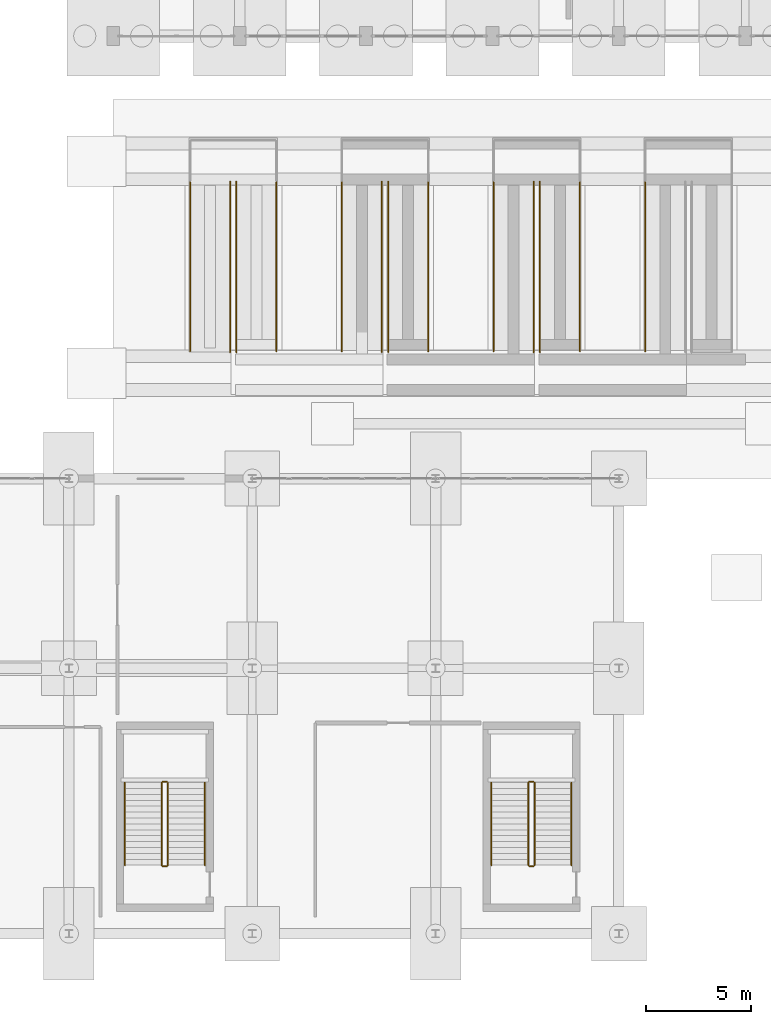
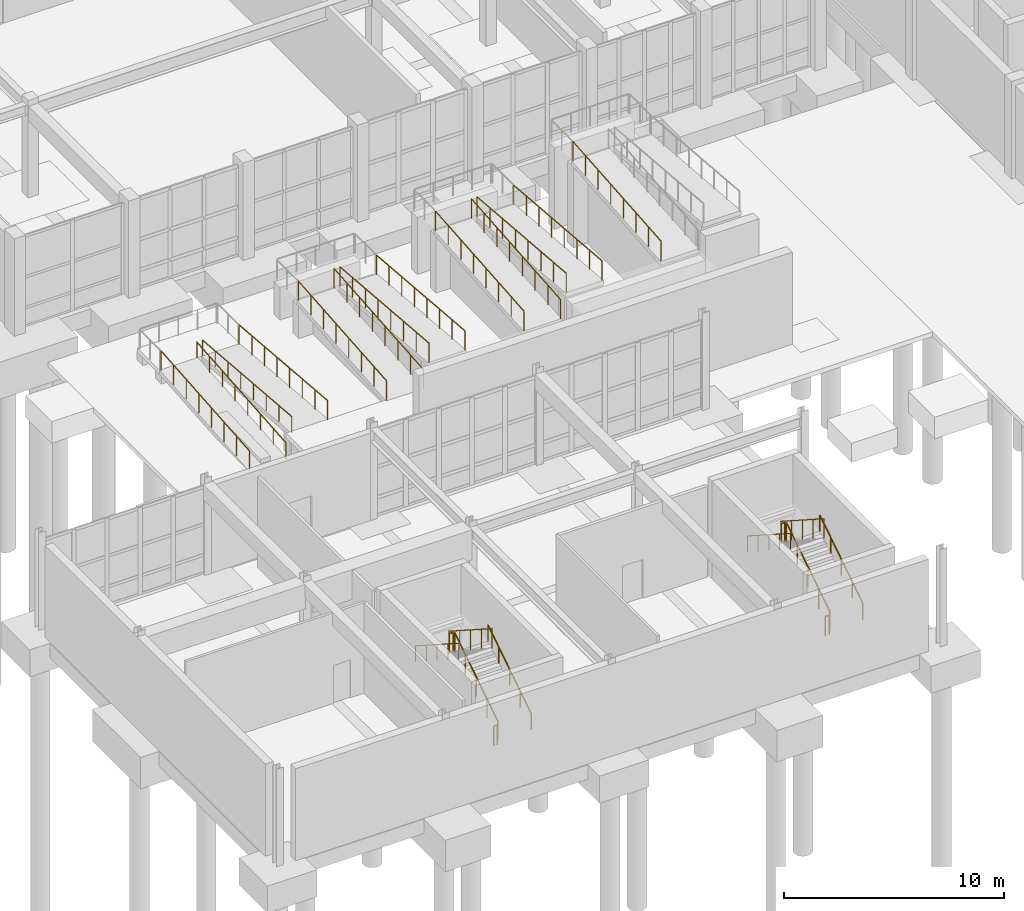
# One storey, part 59 of 69: 25 railings.
"""IFC4 building model written with IfcOpenShell, lengths in metres."""

from ifc_helpers import new_model, si_unit, direction, frame, origin, origin_2d, place, context, subcontext, project, spatial, circle, extrude, material, type_object, element, save


model = new_model("IFC4")

# Units and contexts
model_context = context("Model", 3, precision=1e-05, world=origin(), true_north=direction((0.0, 1.0)))
body_context = subcontext(model_context, "Body", "Model", "MODEL_VIEW")
ifc_project = project(units=[si_unit("LENGTHUNIT", "METRE"), si_unit("AREAUNIT", "SQUARE_METRE"), si_unit("VOLUMEUNIT", "CUBIC_METRE"), si_unit("PLANEANGLEUNIT", "RADIAN"), si_unit("MASSUNIT", "GRAM", prefix="KILO")], contexts=[model_context])

# Site, building, storey
site_placement = place(None, origin())
site = spatial("IfcSite", under=ifc_project, at=site_placement, CompositionType="ELEMENT")
building_placement = place(site_placement, origin())
building = spatial("IfcBuilding", under=site, at=building_placement, Name="Vaelkrest Opera House", CompositionType="ELEMENT")
storey_placement = place(building_placement, frame((0.0, 0.0, -5.39990234375)))
storey = spatial("IfcBuildingStorey", under=building, at=storey_placement, Name="B1", CompositionType="ELEMENT", Elevation=-5.39990234375)

# Railings
ifc_material = material(Name="Dark bronze anodized aluminium", Category="aluminium")
railing_type_1 = type_object("IfcRailingType", Name="GR01", PredefinedType="GUARDRAIL", material=ifc_material)
railing_1_placement = place(storey_placement, frame((-71.949951171875, -31.760009765625, 0.0)))
element("IfcRailing", 1, at=railing_1_placement, inside=storey, type_object=railing_type_1, Name="Ramp guardrail RMP-FC-1 seg 1", PredefinedType="GUARDRAIL", context=body_context, shape_type="SweptSolid", body=[
    extrude(circle(Radius=0.02392578125, at=origin_2d()), frame((0.0, 0.0, 1.076171875), z_axis=(0.0, 0.99647891242, 0.083843766025), x_axis=(-1.0, 0.0, 0.0)), (0.0, 0.0, 1.0), 8.04833984375),
    extrude(circle(Radius=0.02099609375, at=origin_2d()), origin(), (0.0, 0.0, 1.0), 1.052001953125),
    extrude(circle(Radius=0.02099609375, at=origin_2d()), frame((0.0, 1.145751953125, 0.096435546875)), (0.0, 0.0, 1.0), 1.052001953125),
    extrude(circle(Radius=0.02099609375, at=origin_2d()), frame((0.0, 2.29150390625, 0.19287109375)), (0.0, 0.0, 1.0), 1.052001953125),
    extrude(circle(Radius=0.02099609375, at=origin_2d()), frame((0.0, 3.437255859375, 0.289306640625)), (0.0, 0.0, 1.0), 1.052001953125),
    extrude(circle(Radius=0.02099609375, at=origin_2d()), frame((0.0, 4.582763671875, 0.385498046875)), (0.0, 0.0, 1.0), 1.052001953125),
    extrude(circle(Radius=0.02099609375, at=origin_2d()), frame((0.0, 5.728515625, 0.48193359375)), (0.0, 0.0, 1.0), 1.052001953125),
    extrude(circle(Radius=0.02099609375, at=origin_2d()), frame((0.0, 6.874267578125, 0.578369140625)), (0.0, 0.0, 1.0), 1.052001953125),
    extrude(circle(Radius=0.02099609375, at=origin_2d()), frame((0.0, 8.02001953125, 0.6748046875)), (0.0, 0.0, 1.0), 1.052001953125),
])
railing_2_placement = place(storey_placement, frame((-67.85009765625, -23.739990234375, 0.6748046875)))
element("IfcRailing", 2, at=railing_2_placement, inside=storey, type_object=railing_type_1, Name="Ramp guardrail RMP-FC-1 seg 5", PredefinedType="GUARDRAIL", context=body_context, shape_type="SweptSolid", body=[
    extrude(circle(Radius=0.02392578125, at=origin_2d()), frame((0.0, 0.0, 1.076171875), z_axis=(0.0, -0.996476377592, 0.083873886881), x_axis=(1.0, 0.0, 0.0)), (0.0, 0.0, 1.0), 8.04833984375),
    extrude(circle(Radius=0.02099609375, at=origin_2d()), origin(), (0.0, 0.0, 1.0), 1.052001953125),
    extrude(circle(Radius=0.02099609375, at=origin_2d()), frame((0.0, -1.145751953125, 0.096435546875)), (0.0, 0.0, 1.0), 1.052001953125),
    extrude(circle(Radius=0.02099609375, at=origin_2d()), frame((0.0, -2.29150390625, 0.19287109375)), (0.0, 0.0, 1.0), 1.052001953125),
    extrude(circle(Radius=0.02099609375, at=origin_2d()), frame((0.0, -3.437255859375, 0.289306640625)), (0.0, 0.0, 1.0), 1.052001953125),
    extrude(circle(Radius=0.02099609375, at=origin_2d()), frame((0.0, -4.582763671875, 0.3857421875)), (0.0, 0.0, 1.0), 1.052001953125),
    extrude(circle(Radius=0.02099609375, at=origin_2d()), frame((0.0, -5.728515625, 0.482177734375)), (0.0, 0.0, 1.0), 1.052001953125),
    extrude(circle(Radius=0.02099609375, at=origin_2d()), frame((0.0, -6.874267578125, 0.57861328125)), (0.0, 0.0, 1.0), 1.052001953125),
    extrude(circle(Radius=0.02099609375, at=origin_2d()), frame((0.0, -8.02001953125, 0.675048828125)), (0.0, 0.0, 1.0), 1.052001953125),
])
railing_3_placement = place(storey_placement, frame((-64.75, -31.760009765625, 1.349853515625)))
element("IfcRailing", 3, at=railing_3_placement, inside=storey, type_object=railing_type_1, Name="Ramp guardrail RMP-FC-2 seg 1", PredefinedType="GUARDRAIL", context=body_context, shape_type="SweptSolid", body=[
    extrude(circle(Radius=0.02392578125, at=origin_2d()), frame((0.0, 0.0, 1.076171875), z_axis=(0.0, 0.996476377592, 0.083873886881), x_axis=(-1.0, 0.0, 0.0)), (0.0, 0.0, 1.0), 8.04833984375),
    extrude(circle(Radius=0.02099609375, at=origin_2d()), origin(), (0.0, 0.0, 1.0), 1.052001953125),
    extrude(circle(Radius=0.02099609375, at=origin_2d()), frame((0.0, 1.145751953125, 0.096435546875)), (0.0, 0.0, 1.0), 1.052001953125),
    extrude(circle(Radius=0.02099609375, at=origin_2d()), frame((0.0, 2.29150390625, 0.19287109375)), (0.0, 0.0, 1.0), 1.052001953125),
    extrude(circle(Radius=0.02099609375, at=origin_2d()), frame((0.0, 3.437255859375, 0.289306640625)), (0.0, 0.0, 1.0), 1.052001953125),
    extrude(circle(Radius=0.02099609375, at=origin_2d()), frame((0.0, 4.582763671875, 0.3857421875)), (0.0, 0.0, 1.0), 1.052001953125),
    extrude(circle(Radius=0.02099609375, at=origin_2d()), frame((0.0, 5.728515625, 0.482177734375)), (0.0, 0.0, 1.0), 1.052001953125),
    extrude(circle(Radius=0.02099609375, at=origin_2d()), frame((0.0, 6.874267578125, 0.57861328125)), (0.0, 0.0, 1.0), 1.052001953125),
    extrude(circle(Radius=0.02099609375, at=origin_2d()), frame((0.0, 8.02001953125, 0.675048828125)), (0.0, 0.0, 1.0), 1.052001953125),
])
railing_4_placement = place(storey_placement, frame((-60.64990234375, -23.739990234375, 2.02490234375)))
element("IfcRailing", 4, at=railing_4_placement, inside=storey, type_object=railing_type_1, Name="Ramp guardrail RMP-FC-2 seg 5", PredefinedType="GUARDRAIL", context=body_context, shape_type="SweptSolid", body=[
    extrude(circle(Radius=0.02392578125, at=origin_2d()), frame((0.0, 0.0, 1.076171875), z_axis=(0.0, -0.996476377592, 0.083873886881), x_axis=(1.0, 0.0, 0.0)), (0.0, 0.0, 1.0), 8.04833984375),
    extrude(circle(Radius=0.02099609375, at=origin_2d()), origin(), (0.0, 0.0, 1.0), 1.052001953125),
    extrude(circle(Radius=0.02099609375, at=origin_2d()), frame((0.0, -1.145751953125, 0.096435546875)), (0.0, 0.0, 1.0), 1.052001953125),
    extrude(circle(Radius=0.02099609375, at=origin_2d()), frame((0.0, -2.29150390625, 0.19287109375)), (0.0, 0.0, 1.0), 1.052001953125),
    extrude(circle(Radius=0.02099609375, at=origin_2d()), frame((0.0, -3.437255859375, 0.289306640625)), (0.0, 0.0, 1.0), 1.052001953125),
    extrude(circle(Radius=0.02099609375, at=origin_2d()), frame((0.0, -4.582763671875, 0.3857421875)), (0.0, 0.0, 1.0), 1.052001953125),
    extrude(circle(Radius=0.02099609375, at=origin_2d()), frame((0.0, -5.728515625, 0.482177734375)), (0.0, 0.0, 1.0), 1.052001953125),
    extrude(circle(Radius=0.02099609375, at=origin_2d()), frame((0.0, -6.874267578125, 0.57861328125)), (0.0, 0.0, 1.0), 1.052001953125),
    extrude(circle(Radius=0.02099609375, at=origin_2d()), frame((0.0, -8.02001953125, 0.675048828125)), (0.0, 0.0, 1.0), 1.052001953125),
])
railing_5_placement = place(storey_placement, frame((-62.85009765625, -31.800048828125, 1.349853515625)))
element("IfcRailing", 5, at=railing_5_placement, inside=storey, type_object=railing_type_1, Name="Ramp inner rail RMP-FC-2-1", PredefinedType="GUARDRAIL", context=body_context, shape_type="SweptSolid", body=[
    extrude(circle(Radius=0.02392578125, at=origin_2d()), frame((0.0, 0.0, 1.076171875), z_axis=(0.0, 0.996545343938, 0.083050451383), x_axis=(-1.0, 0.0, 0.0)), (0.0, 0.0, 1.0), 8.128173828125),
    extrude(circle(Radius=0.02099609375, at=origin_2d()), origin(), (0.0, 0.0, 1.0), 1.052001953125),
    extrude(circle(Radius=0.02099609375, at=origin_2d()), frame((0.0, 1.1572265625, 0.096435546875)), (0.0, 0.0, 1.0), 1.052001953125),
    extrude(circle(Radius=0.02099609375, at=origin_2d()), frame((0.0, 2.314208984375, 0.19287109375)), (0.0, 0.0, 1.0), 1.052001953125),
    extrude(circle(Radius=0.02099609375, at=origin_2d()), frame((0.0, 3.471435546875, 0.289306640625)), (0.0, 0.0, 1.0), 1.052001953125),
    extrude(circle(Radius=0.02099609375, at=origin_2d()), frame((0.0, 4.628662109375, 0.3857421875)), (0.0, 0.0, 1.0), 1.052001953125),
    extrude(circle(Radius=0.02099609375, at=origin_2d()), frame((0.0, 5.785888671875, 0.482177734375)), (0.0, 0.0, 1.0), 1.052001953125),
    extrude(circle(Radius=0.02099609375, at=origin_2d()), frame((0.0, 6.94287109375, 0.57861328125)), (0.0, 0.0, 1.0), 1.052001953125),
    extrude(circle(Radius=0.02099609375, at=origin_2d()), frame((0.0, 8.10009765625, 0.675048828125)), (0.0, 0.0, 1.0), 1.052001953125),
])
railing_6_placement = place(storey_placement, frame((-62.550048828125, -23.699951171875, 2.02490234375)))
element("IfcRailing", 6, at=railing_6_placement, inside=storey, type_object=railing_type_1, Name="Ramp inner rail RMP-FC-2-2", PredefinedType="GUARDRAIL", context=body_context, shape_type="SweptSolid", body=[
    extrude(circle(Radius=0.02392578125, at=origin_2d()), frame((0.0, 0.0, 1.076171875), z_axis=(0.0, -0.996545343938, 0.083050451383), x_axis=(1.0, 0.0, 0.0)), (0.0, 0.0, 1.0), 8.128173828125),
    extrude(circle(Radius=0.02099609375, at=origin_2d()), origin(), (0.0, 0.0, 1.0), 1.052001953125),
    extrude(circle(Radius=0.02099609375, at=origin_2d()), frame((0.0, -1.1572265625, 0.096435546875)), (0.0, 0.0, 1.0), 1.052001953125),
    extrude(circle(Radius=0.02099609375, at=origin_2d()), frame((0.0, -2.314208984375, 0.19287109375)), (0.0, 0.0, 1.0), 1.052001953125),
    extrude(circle(Radius=0.02099609375, at=origin_2d()), frame((0.0, -3.471435546875, 0.289306640625)), (0.0, 0.0, 1.0), 1.052001953125),
    extrude(circle(Radius=0.02099609375, at=origin_2d()), frame((0.0, -4.628662109375, 0.3857421875)), (0.0, 0.0, 1.0), 1.052001953125),
    extrude(circle(Radius=0.02099609375, at=origin_2d()), frame((0.0, -5.785888671875, 0.482177734375)), (0.0, 0.0, 1.0), 1.052001953125),
    extrude(circle(Radius=0.02099609375, at=origin_2d()), frame((0.0, -6.94287109375, 0.57861328125)), (0.0, 0.0, 1.0), 1.052001953125),
    extrude(circle(Radius=0.02099609375, at=origin_2d()), frame((0.0, -8.10009765625, 0.675048828125)), (0.0, 0.0, 1.0), 1.052001953125),
])
railing_7_placement = place(storey_placement, frame((-57.550048828125, -31.760009765625, 2.699951171875)))
element("IfcRailing", 7, at=railing_7_placement, inside=storey, type_object=railing_type_1, Name="Ramp guardrail RMP-FC-3 seg 1", PredefinedType="GUARDRAIL", context=body_context, shape_type="SweptSolid", body=[
    extrude(circle(Radius=0.02392578125, at=origin_2d()), frame((0.0, 0.0, 1.076171875), z_axis=(0.0, 0.996476377592, 0.083873886881), x_axis=(-1.0, 0.0, 0.0)), (0.0, 0.0, 1.0), 8.04833984375),
    extrude(circle(Radius=0.02099609375, at=origin_2d()), origin(), (0.0, 0.0, 1.0), 1.052001953125),
    extrude(circle(Radius=0.02099609375, at=origin_2d()), frame((0.0, 1.145751953125, 0.096435546875)), (0.0, 0.0, 1.0), 1.052001953125),
    extrude(circle(Radius=0.02099609375, at=origin_2d()), frame((0.0, 2.29150390625, 0.19287109375)), (0.0, 0.0, 1.0), 1.052001953125),
    extrude(circle(Radius=0.02099609375, at=origin_2d()), frame((0.0, 3.437255859375, 0.289306640625)), (0.0, 0.0, 1.0), 1.052001953125),
    extrude(circle(Radius=0.02099609375, at=origin_2d()), frame((0.0, 4.582763671875, 0.3857421875)), (0.0, 0.0, 1.0), 1.052001953125),
    extrude(circle(Radius=0.02099609375, at=origin_2d()), frame((0.0, 5.728515625, 0.482177734375)), (0.0, 0.0, 1.0), 1.052001953125),
    extrude(circle(Radius=0.02099609375, at=origin_2d()), frame((0.0, 6.874267578125, 0.57861328125)), (0.0, 0.0, 1.0), 1.052001953125),
    extrude(circle(Radius=0.02099609375, at=origin_2d()), frame((0.0, 8.02001953125, 0.675048828125)), (0.0, 0.0, 1.0), 1.052001953125),
])
railing_8_placement = place(storey_placement, frame((-53.449951171875, -23.739990234375, 3.375)))
element("IfcRailing", 8, at=railing_8_placement, inside=storey, type_object=railing_type_1, Name="Ramp guardrail RMP-FC-3 seg 5", PredefinedType="GUARDRAIL", context=body_context, shape_type="SweptSolid", body=[
    extrude(circle(Radius=0.02392578125, at=origin_2d()), frame((0.0, 0.0, 1.076171875), z_axis=(0.0, -0.99647891242, 0.083843766025), x_axis=(1.0, 0.0, 0.0)), (0.0, 0.0, 1.0), 8.04833984375),
    extrude(circle(Radius=0.02099609375, at=origin_2d()), origin(), (0.0, 0.0, 1.0), 1.052001953125),
    extrude(circle(Radius=0.02099609375, at=origin_2d()), frame((0.0, -1.145751953125, 0.096435546875)), (0.0, 0.0, 1.0), 1.052001953125),
    extrude(circle(Radius=0.02099609375, at=origin_2d()), frame((0.0, -2.29150390625, 0.19287109375)), (0.0, 0.0, 1.0), 1.052001953125),
    extrude(circle(Radius=0.02099609375, at=origin_2d()), frame((0.0, -3.437255859375, 0.289306640625)), (0.0, 0.0, 1.0), 1.052001953125),
    extrude(circle(Radius=0.02099609375, at=origin_2d()), frame((0.0, -4.582763671875, 0.385498046875)), (0.0, 0.0, 1.0), 1.052001953125),
    extrude(circle(Radius=0.02099609375, at=origin_2d()), frame((0.0, -5.728515625, 0.48193359375)), (0.0, 0.0, 1.0), 1.052001953125),
    extrude(circle(Radius=0.02099609375, at=origin_2d()), frame((0.0, -6.874267578125, 0.578369140625)), (0.0, 0.0, 1.0), 1.052001953125),
    extrude(circle(Radius=0.02099609375, at=origin_2d()), frame((0.0, -8.02001953125, 0.6748046875)), (0.0, 0.0, 1.0), 1.052001953125),
])
railing_9_placement = place(storey_placement, frame((-55.64990234375, -31.800048828125, 2.699951171875)))
element("IfcRailing", 9, at=railing_9_placement, inside=storey, type_object=railing_type_1, Name="Ramp inner rail RMP-FC-3-1", PredefinedType="GUARDRAIL", context=body_context, shape_type="SweptSolid", body=[
    extrude(circle(Radius=0.02392578125, at=origin_2d()), frame((0.0, 0.0, 1.076171875), z_axis=(0.0, 0.996545343938, 0.083050451383), x_axis=(-1.0, 0.0, 0.0)), (0.0, 0.0, 1.0), 8.128173828125),
    extrude(circle(Radius=0.02099609375, at=origin_2d()), origin(), (0.0, 0.0, 1.0), 1.052001953125),
    extrude(circle(Radius=0.02099609375, at=origin_2d()), frame((0.0, 1.1572265625, 0.096435546875)), (0.0, 0.0, 1.0), 1.052001953125),
    extrude(circle(Radius=0.02099609375, at=origin_2d()), frame((0.0, 2.314208984375, 0.19287109375)), (0.0, 0.0, 1.0), 1.052001953125),
    extrude(circle(Radius=0.02099609375, at=origin_2d()), frame((0.0, 3.471435546875, 0.289306640625)), (0.0, 0.0, 1.0), 1.052001953125),
    extrude(circle(Radius=0.02099609375, at=origin_2d()), frame((0.0, 4.628662109375, 0.3857421875)), (0.0, 0.0, 1.0), 1.052001953125),
    extrude(circle(Radius=0.02099609375, at=origin_2d()), frame((0.0, 5.785888671875, 0.482177734375)), (0.0, 0.0, 1.0), 1.052001953125),
    extrude(circle(Radius=0.02099609375, at=origin_2d()), frame((0.0, 6.94287109375, 0.57861328125)), (0.0, 0.0, 1.0), 1.052001953125),
    extrude(circle(Radius=0.02099609375, at=origin_2d()), frame((0.0, 8.10009765625, 0.675048828125)), (0.0, 0.0, 1.0), 1.052001953125),
])
railing_10_placement = place(storey_placement, frame((-55.35009765625, -23.699951171875, 3.375)))
element("IfcRailing", 10, at=railing_10_placement, inside=storey, type_object=railing_type_1, Name="Ramp inner rail RMP-FC-3-2", PredefinedType="GUARDRAIL", context=body_context, shape_type="SweptSolid", body=[
    extrude(circle(Radius=0.02392578125, at=origin_2d()), frame((0.0, 0.0, 1.076171875), z_axis=(0.0, -0.996547829411, 0.083020622114), x_axis=(1.0, 0.0, 0.0)), (0.0, 0.0, 1.0), 8.128173828125),
    extrude(circle(Radius=0.02099609375, at=origin_2d()), origin(), (0.0, 0.0, 1.0), 1.052001953125),
    extrude(circle(Radius=0.02099609375, at=origin_2d()), frame((0.0, -1.1572265625, 0.096435546875)), (0.0, 0.0, 1.0), 1.052001953125),
    extrude(circle(Radius=0.02099609375, at=origin_2d()), frame((0.0, -2.314208984375, 0.19287109375)), (0.0, 0.0, 1.0), 1.052001953125),
    extrude(circle(Radius=0.02099609375, at=origin_2d()), frame((0.0, -3.471435546875, 0.289306640625)), (0.0, 0.0, 1.0), 1.052001953125),
    extrude(circle(Radius=0.02099609375, at=origin_2d()), frame((0.0, -4.628662109375, 0.385498046875)), (0.0, 0.0, 1.0), 1.052001953125),
    extrude(circle(Radius=0.02099609375, at=origin_2d()), frame((0.0, -5.785888671875, 0.48193359375)), (0.0, 0.0, 1.0), 1.052001953125),
    extrude(circle(Radius=0.02099609375, at=origin_2d()), frame((0.0, -6.94287109375, 0.578369140625)), (0.0, 0.0, 1.0), 1.052001953125),
    extrude(circle(Radius=0.02099609375, at=origin_2d()), frame((0.0, -8.10009765625, 0.6748046875)), (0.0, 0.0, 1.0), 1.052001953125),
])
railing_11_placement = place(storey_placement, frame((-50.35009765625, -31.760009765625, 4.0498046875)))
element("IfcRailing", 11, at=railing_11_placement, inside=storey, type_object=railing_type_1, Name="Ramp guardrail RMP-FC-4 seg 1", PredefinedType="GUARDRAIL", context=body_context, shape_type="SweptSolid", body=[
    extrude(circle(Radius=0.02392578125, at=origin_2d()), frame((0.0, 0.0, 1.076171875), z_axis=(0.0, 0.996476377592, 0.083873886881), x_axis=(-1.0, 0.0, 0.0)), (0.0, 0.0, 1.0), 8.04833984375),
    extrude(circle(Radius=0.02099609375, at=origin_2d()), origin(), (0.0, 0.0, 1.0), 1.052001953125),
    extrude(circle(Radius=0.02099609375, at=origin_2d()), frame((0.0, 1.145751953125, 0.096435546875)), (0.0, 0.0, 1.0), 1.052001953125),
    extrude(circle(Radius=0.02099609375, at=origin_2d()), frame((0.0, 2.29150390625, 0.19287109375)), (0.0, 0.0, 1.0), 1.052001953125),
    extrude(circle(Radius=0.02099609375, at=origin_2d()), frame((0.0, 3.437255859375, 0.289306640625)), (0.0, 0.0, 1.0), 1.052001953125),
    extrude(circle(Radius=0.02099609375, at=origin_2d()), frame((0.0, 4.582763671875, 0.3857421875)), (0.0, 0.0, 1.0), 1.052001953125),
    extrude(circle(Radius=0.02099609375, at=origin_2d()), frame((0.0, 5.728515625, 0.482177734375)), (0.0, 0.0, 1.0), 1.052001953125),
    extrude(circle(Radius=0.02099609375, at=origin_2d()), frame((0.0, 6.874267578125, 0.57861328125)), (0.0, 0.0, 1.0), 1.052001953125),
    extrude(circle(Radius=0.02099609375, at=origin_2d()), frame((0.0, 8.02001953125, 0.675048828125)), (0.0, 0.0, 1.0), 1.052001953125),
])
railing_type_2 = type_object("IfcRailingType", Name="GR02", PredefinedType="GUARDRAIL", material=ifc_material)
railing_12_placement = place(storey_placement, frame((-73.0, -56.14990234375, 0.179931640625)))
element("IfcRailing", 12, at=railing_12_placement, inside=storey, type_object=railing_type_2, Name="B1 ST11 stair guard 1", PredefinedType="GUARDRAIL", context=body_context, shape_type="SweptSolid", body=[
    extrude(circle(Radius=0.02392578125, at=origin_2d()), frame((0.0, 0.0, 1.076171875), z_axis=(0.0, 0.841171666519, 0.540768182723), x_axis=(-1.0, 0.0, 0.0)), (0.0, 0.0, 1.0), 4.66015625),
    extrude(circle(Radius=0.02099609375, at=origin_2d()), origin(), (0.0, 0.0, 1.0), 1.052001953125),
    extrude(circle(Radius=0.02099609375, at=origin_2d()), frame((0.0, 0.97998046875, 0.6298828125)), (0.0, 0.0, 1.0), 1.052001953125),
    extrude(circle(Radius=0.02099609375, at=origin_2d()), frame((0.0, 1.9599609375, 1.260009765625)), (0.0, 0.0, 1.0), 1.052001953125),
    extrude(circle(Radius=0.02099609375, at=origin_2d()), frame((0.0, 2.93994140625, 1.89013671875)), (0.0, 0.0, 1.0), 1.052001953125),
    extrude(circle(Radius=0.02099609375, at=origin_2d()), frame((0.0, 3.919921875, 2.52001953125)), (0.0, 0.0, 1.0), 1.052001953125),
])
railing_13_placement = place(storey_placement, frame((-73.050048828125, -52.179931640625, 2.699951171875)))
element("IfcRailing", 13, at=railing_13_placement, inside=storey, type_object=railing_type_2, Name="B1 ST11 stair guard 2", PredefinedType="GUARDRAIL", context=body_context, shape_type="SweptSolid", body=[
    extrude(circle(Radius=0.02392578125, at=origin_2d()), frame((0.0, 0.0, 1.076171875), z_axis=(-1.0, 0.0, 0.0), x_axis=(0.0, -1.0, 0.0)), (0.0, 0.0, 1.0), 0.199951171875),
    extrude(circle(Radius=0.02099609375, at=origin_2d()), origin(), (0.0, 0.0, 1.0), 1.052001953125),
    extrude(circle(Radius=0.02099609375, at=origin_2d()), frame((-0.199951171875, 0.0, 0.0)), (0.0, 0.0, 1.0), 1.052001953125),
])
railing_14_placement = place(storey_placement, frame((-73.300048828125, -52.22998046875, 2.8798828125)))
element("IfcRailing", 14, at=railing_14_placement, inside=storey, type_object=railing_type_2, Name="B1 ST11 stair guard 3", PredefinedType="GUARDRAIL", context=body_context, shape_type="SweptSolid", body=[
    extrude(circle(Radius=0.02392578125, at=origin_2d()), frame((0.0, 0.0, 1.076171875), z_axis=(0.0, -0.841171666519, 0.540768182723), x_axis=(1.0, 0.0, 0.0)), (0.0, 0.0, 1.0), 4.66015625),
    extrude(circle(Radius=0.02099609375, at=origin_2d()), origin(), (0.0, 0.0, 1.0), 1.052001953125),
    extrude(circle(Radius=0.02099609375, at=origin_2d()), frame((0.0, -0.97998046875, 0.6298828125)), (0.0, 0.0, 1.0), 1.052001953125),
    extrude(circle(Radius=0.02099609375, at=origin_2d()), frame((0.0, -1.9599609375, 1.260009765625)), (0.0, 0.0, 1.0), 1.052001953125),
    extrude(circle(Radius=0.02099609375, at=origin_2d()), frame((0.0, -2.93994140625, 1.89013671875)), (0.0, 0.0, 1.0), 1.052001953125),
    extrude(circle(Radius=0.02099609375, at=origin_2d()), frame((0.0, -3.919921875, 2.52001953125)), (0.0, 0.0, 1.0), 1.052001953125),
])
railing_15_placement = place(storey_placement, frame((-73.050048828125, -56.199951171875, 0.0)))
element("IfcRailing", 15, at=railing_15_placement, inside=storey, type_object=railing_type_2, Name="B1 ST11 stair guard 4", PredefinedType="GUARDRAIL", context=body_context, shape_type="SweptSolid", body=[
    extrude(circle(Radius=0.02392578125, at=origin_2d()), frame((0.0, 0.0, 1.076171875), z_axis=(-1.0, 0.0, 0.0), x_axis=(0.0, -1.0, 0.0)), (0.0, 0.0, 1.0), 0.199951171875),
    extrude(circle(Radius=0.02099609375, at=origin_2d()), origin(), (0.0, 0.0, 1.0), 1.052001953125),
    extrude(circle(Radius=0.02099609375, at=origin_2d()), frame((-0.199951171875, 0.0, 0.0)), (0.0, 0.0, 1.0), 1.052001953125),
])
railing_16_placement = place(storey_placement, frame((-55.60009765625, -56.14990234375, 0.179931640625)))
element("IfcRailing", 16, at=railing_16_placement, inside=storey, type_object=railing_type_2, Name="B1 ST12 stair guard 1", PredefinedType="GUARDRAIL", context=body_context, shape_type="SweptSolid", body=[
    extrude(circle(Radius=0.02392578125, at=origin_2d()), frame((0.0, 0.0, 1.076171875), z_axis=(0.0, 0.841171666519, 0.540768182723), x_axis=(-1.0, 0.0, 0.0)), (0.0, 0.0, 1.0), 4.66015625),
    extrude(circle(Radius=0.02099609375, at=origin_2d()), origin(), (0.0, 0.0, 1.0), 1.052001953125),
    extrude(circle(Radius=0.02099609375, at=origin_2d()), frame((0.0, 0.97998046875, 0.6298828125)), (0.0, 0.0, 1.0), 1.052001953125),
    extrude(circle(Radius=0.02099609375, at=origin_2d()), frame((0.0, 1.9599609375, 1.260009765625)), (0.0, 0.0, 1.0), 1.052001953125),
    extrude(circle(Radius=0.02099609375, at=origin_2d()), frame((0.0, 2.93994140625, 1.89013671875)), (0.0, 0.0, 1.0), 1.052001953125),
    extrude(circle(Radius=0.02099609375, at=origin_2d()), frame((0.0, 3.919921875, 2.52001953125)), (0.0, 0.0, 1.0), 1.052001953125),
])
railing_17_placement = place(storey_placement, frame((-55.64990234375, -52.179931640625, 2.699951171875)))
element("IfcRailing", 17, at=railing_17_placement, inside=storey, type_object=railing_type_2, Name="B1 ST12 stair guard 2", PredefinedType="GUARDRAIL", context=body_context, shape_type="SweptSolid", body=[
    extrude(circle(Radius=0.02392578125, at=origin_2d()), frame((0.0, 0.0, 1.076171875), z_axis=(-1.0, 0.0, 0.0), x_axis=(0.0, -1.0, 0.0)), (0.0, 0.0, 1.0), 0.2001953125),
    extrude(circle(Radius=0.02099609375, at=origin_2d()), origin(), (0.0, 0.0, 1.0), 1.052001953125),
    extrude(circle(Radius=0.02099609375, at=origin_2d()), frame((-0.2001953125, 0.0, 0.0)), (0.0, 0.0, 1.0), 1.052001953125),
])
railing_18_placement = place(storey_placement, frame((-55.89990234375, -52.22998046875, 2.8798828125)))
element("IfcRailing", 18, at=railing_18_placement, inside=storey, type_object=railing_type_2, Name="B1 ST12 stair guard 3", PredefinedType="GUARDRAIL", context=body_context, shape_type="SweptSolid", body=[
    extrude(circle(Radius=0.02392578125, at=origin_2d()), frame((0.0, 0.0, 1.076171875), z_axis=(0.0, -0.841171666519, 0.540768182723), x_axis=(1.0, 0.0, 0.0)), (0.0, 0.0, 1.0), 4.66015625),
    extrude(circle(Radius=0.02099609375, at=origin_2d()), origin(), (0.0, 0.0, 1.0), 1.052001953125),
    extrude(circle(Radius=0.02099609375, at=origin_2d()), frame((0.0, -0.97998046875, 0.6298828125)), (0.0, 0.0, 1.0), 1.052001953125),
    extrude(circle(Radius=0.02099609375, at=origin_2d()), frame((0.0, -1.9599609375, 1.260009765625)), (0.0, 0.0, 1.0), 1.052001953125),
    extrude(circle(Radius=0.02099609375, at=origin_2d()), frame((0.0, -2.93994140625, 1.89013671875)), (0.0, 0.0, 1.0), 1.052001953125),
    extrude(circle(Radius=0.02099609375, at=origin_2d()), frame((0.0, -3.919921875, 2.52001953125)), (0.0, 0.0, 1.0), 1.052001953125),
])
railing_19_placement = place(storey_placement, frame((-55.64990234375, -56.199951171875, 0.0)))
element("IfcRailing", 19, at=railing_19_placement, inside=storey, type_object=railing_type_2, Name="B1 ST12 stair guard 4", PredefinedType="GUARDRAIL", context=body_context, shape_type="SweptSolid", body=[
    extrude(circle(Radius=0.02392578125, at=origin_2d()), frame((0.0, 0.0, 1.076171875), z_axis=(-1.0, 0.0, 0.0), x_axis=(0.0, -1.0, 0.0)), (0.0, 0.0, 1.0), 0.2001953125),
    extrude(circle(Radius=0.02099609375, at=origin_2d()), origin(), (0.0, 0.0, 1.0), 1.052001953125),
    extrude(circle(Radius=0.02099609375, at=origin_2d()), frame((-0.2001953125, 0.0, 0.0)), (0.0, 0.0, 1.0), 1.052001953125),
])
railing_type_3 = type_object("IfcRailingType", Name="HR01", PredefinedType="HANDRAIL", material=ifc_material)
railing_20_placement = place(storey_placement, frame((-70.050048828125, -31.800048828125, 0.0)))
element("IfcRailing", 20, at=railing_20_placement, inside=storey, type_object=railing_type_3, Name="Ramp inner rail RMP-FC-1-1", PredefinedType="HANDRAIL", context=body_context, shape_type="SweptSolid", body=[
    extrude(circle(Radius=0.02392578125, at=origin_2d()), frame((0.0, 0.0, 0.8759765625), z_axis=(0.0, 0.996547829411, 0.083020622114), x_axis=(-1.0, 0.0, 0.0)), (0.0, 0.0, 1.0), 8.128173828125),
    extrude(circle(Radius=0.02099609375, at=origin_2d()), origin(), (0.0, 0.0, 1.0), 0.851806640625),
    extrude(circle(Radius=0.02099609375, at=origin_2d()), frame((0.0, 1.1572265625, 0.096435546875)), (0.0, 0.0, 1.0), 0.851806640625),
    extrude(circle(Radius=0.02099609375, at=origin_2d()), frame((0.0, 2.314208984375, 0.19287109375)), (0.0, 0.0, 1.0), 0.851806640625),
    extrude(circle(Radius=0.02099609375, at=origin_2d()), frame((0.0, 3.471435546875, 0.289306640625)), (0.0, 0.0, 1.0), 0.851806640625),
    extrude(circle(Radius=0.02099609375, at=origin_2d()), frame((0.0, 4.628662109375, 0.385498046875)), (0.0, 0.0, 1.0), 0.851806640625),
    extrude(circle(Radius=0.02099609375, at=origin_2d()), frame((0.0, 5.785888671875, 0.48193359375)), (0.0, 0.0, 1.0), 0.851806640625),
    extrude(circle(Radius=0.02099609375, at=origin_2d()), frame((0.0, 6.94287109375, 0.578369140625)), (0.0, 0.0, 1.0), 0.851806640625),
    extrude(circle(Radius=0.02099609375, at=origin_2d()), frame((0.0, 8.10009765625, 0.6748046875)), (0.0, 0.0, 1.0), 0.851806640625),
])
railing_21_placement = place(storey_placement, frame((-69.75, -23.699951171875, 0.6748046875)))
element("IfcRailing", 21, at=railing_21_placement, inside=storey, type_object=railing_type_3, Name="Ramp inner rail RMP-FC-1-2", PredefinedType="HANDRAIL", context=body_context, shape_type="SweptSolid", body=[
    extrude(circle(Radius=0.02392578125, at=origin_2d()), frame((0.0, 0.0, 0.8759765625), z_axis=(0.0, -0.996545343938, 0.083050451383), x_axis=(1.0, 0.0, 0.0)), (0.0, 0.0, 1.0), 8.128173828125),
    extrude(circle(Radius=0.02099609375, at=origin_2d()), origin(), (0.0, 0.0, 1.0), 0.851806640625),
    extrude(circle(Radius=0.02099609375, at=origin_2d()), frame((0.0, -1.1572265625, 0.096435546875)), (0.0, 0.0, 1.0), 0.851806640625),
    extrude(circle(Radius=0.02099609375, at=origin_2d()), frame((0.0, -2.314208984375, 0.19287109375)), (0.0, 0.0, 1.0), 0.851806640625),
    extrude(circle(Radius=0.02099609375, at=origin_2d()), frame((0.0, -3.471435546875, 0.289306640625)), (0.0, 0.0, 1.0), 0.851806640625),
    extrude(circle(Radius=0.02099609375, at=origin_2d()), frame((0.0, -4.628662109375, 0.3857421875)), (0.0, 0.0, 1.0), 0.851806640625),
    extrude(circle(Radius=0.02099609375, at=origin_2d()), frame((0.0, -5.785888671875, 0.482177734375)), (0.0, 0.0, 1.0), 0.851806640625),
    extrude(circle(Radius=0.02099609375, at=origin_2d()), frame((0.0, -6.94287109375, 0.57861328125)), (0.0, 0.0, 1.0), 0.851806640625),
    extrude(circle(Radius=0.02099609375, at=origin_2d()), frame((0.0, -8.10009765625, 0.675048828125)), (0.0, 0.0, 1.0), 0.851806640625),
])
railing_type_4 = type_object("IfcRailingType", Name="HR02", PredefinedType="HANDRAIL", material=ifc_material)
railing_22_placement = place(storey_placement, frame((-71.25, -56.14990234375, 0.179931640625)))
element("IfcRailing", 22, at=railing_22_placement, inside=storey, type_object=railing_type_4, Name="B1 ST11 stair handrail 1", PredefinedType="HANDRAIL", context=body_context, shape_type="SweptSolid", body=[
    extrude(circle(Radius=0.02392578125, at=origin_2d()), frame((0.0, 0.0, 0.8759765625), z_axis=(0.0, 0.841171666519, 0.540768182723), x_axis=(-1.0, 0.0, 0.0)), (0.0, 0.0, 1.0), 4.66015625),
    extrude(circle(Radius=0.02099609375, at=origin_2d()), origin(), (0.0, 0.0, 1.0), 0.851806640625),
    extrude(circle(Radius=0.02099609375, at=origin_2d()), frame((0.0, 0.97998046875, 0.6298828125)), (0.0, 0.0, 1.0), 0.851806640625),
    extrude(circle(Radius=0.02099609375, at=origin_2d()), frame((0.0, 1.9599609375, 1.260009765625)), (0.0, 0.0, 1.0), 0.851806640625),
    extrude(circle(Radius=0.02099609375, at=origin_2d()), frame((0.0, 2.93994140625, 1.89013671875)), (0.0, 0.0, 1.0), 0.851806640625),
    extrude(circle(Radius=0.02099609375, at=origin_2d()), frame((0.0, 3.919921875, 2.52001953125)), (0.0, 0.0, 1.0), 0.851806640625),
])
railing_23_placement = place(storey_placement, frame((-75.050048828125, -52.22998046875, 2.8798828125)))
element("IfcRailing", 23, at=railing_23_placement, inside=storey, type_object=railing_type_4, Name="B1 ST11 stair handrail 2", PredefinedType="HANDRAIL", context=body_context, shape_type="SweptSolid", body=[
    extrude(circle(Radius=0.02392578125, at=origin_2d()), frame((0.0, 0.0, 0.8759765625), z_axis=(0.0, -0.841171666519, 0.540768182723), x_axis=(1.0, 0.0, 0.0)), (0.0, 0.0, 1.0), 4.66015625),
    extrude(circle(Radius=0.02099609375, at=origin_2d()), origin(), (0.0, 0.0, 1.0), 0.851806640625),
    extrude(circle(Radius=0.02099609375, at=origin_2d()), frame((0.0, -0.97998046875, 0.6298828125)), (0.0, 0.0, 1.0), 0.851806640625),
    extrude(circle(Radius=0.02099609375, at=origin_2d()), frame((0.0, -1.9599609375, 1.260009765625)), (0.0, 0.0, 1.0), 0.851806640625),
    extrude(circle(Radius=0.02099609375, at=origin_2d()), frame((0.0, -2.93994140625, 1.89013671875)), (0.0, 0.0, 1.0), 0.851806640625),
    extrude(circle(Radius=0.02099609375, at=origin_2d()), frame((0.0, -3.919921875, 2.52001953125)), (0.0, 0.0, 1.0), 0.851806640625),
])
railing_24_placement = place(storey_placement, frame((-53.85009765625, -56.14990234375, 0.179931640625)))
element("IfcRailing", 24, at=railing_24_placement, inside=storey, type_object=railing_type_4, Name="B1 ST12 stair handrail 1", PredefinedType="HANDRAIL", context=body_context, shape_type="SweptSolid", body=[
    extrude(circle(Radius=0.02392578125, at=origin_2d()), frame((0.0, 0.0, 0.8759765625), z_axis=(0.0, 0.841171666519, 0.540768182723), x_axis=(-1.0, 0.0, 0.0)), (0.0, 0.0, 1.0), 4.66015625),
    extrude(circle(Radius=0.02099609375, at=origin_2d()), origin(), (0.0, 0.0, 1.0), 0.851806640625),
    extrude(circle(Radius=0.02099609375, at=origin_2d()), frame((0.0, 0.97998046875, 0.6298828125)), (0.0, 0.0, 1.0), 0.851806640625),
    extrude(circle(Radius=0.02099609375, at=origin_2d()), frame((0.0, 1.9599609375, 1.260009765625)), (0.0, 0.0, 1.0), 0.851806640625),
    extrude(circle(Radius=0.02099609375, at=origin_2d()), frame((0.0, 2.93994140625, 1.89013671875)), (0.0, 0.0, 1.0), 0.851806640625),
    extrude(circle(Radius=0.02099609375, at=origin_2d()), frame((0.0, 3.919921875, 2.52001953125)), (0.0, 0.0, 1.0), 0.851806640625),
])
railing_25_placement = place(storey_placement, frame((-57.64990234375, -52.22998046875, 2.8798828125)))
element("IfcRailing", 25, at=railing_25_placement, inside=storey, type_object=railing_type_4, Name="B1 ST12 stair handrail 2", PredefinedType="HANDRAIL", context=body_context, shape_type="SweptSolid", body=[
    extrude(circle(Radius=0.02392578125, at=origin_2d()), frame((0.0, 0.0, 0.8759765625), z_axis=(0.0, -0.841171666519, 0.540768182723), x_axis=(1.0, 0.0, 0.0)), (0.0, 0.0, 1.0), 4.66015625),
    extrude(circle(Radius=0.02099609375, at=origin_2d()), origin(), (0.0, 0.0, 1.0), 0.851806640625),
    extrude(circle(Radius=0.02099609375, at=origin_2d()), frame((0.0, -0.97998046875, 0.6298828125)), (0.0, 0.0, 1.0), 0.851806640625),
    extrude(circle(Radius=0.02099609375, at=origin_2d()), frame((0.0, -1.9599609375, 1.260009765625)), (0.0, 0.0, 1.0), 0.851806640625),
    extrude(circle(Radius=0.02099609375, at=origin_2d()), frame((0.0, -2.93994140625, 1.89013671875)), (0.0, 0.0, 1.0), 0.851806640625),
    extrude(circle(Radius=0.02099609375, at=origin_2d()), frame((0.0, -3.919921875, 2.52001953125)), (0.0, 0.0, 1.0), 0.851806640625),
])

save(model, "model.ifc")
